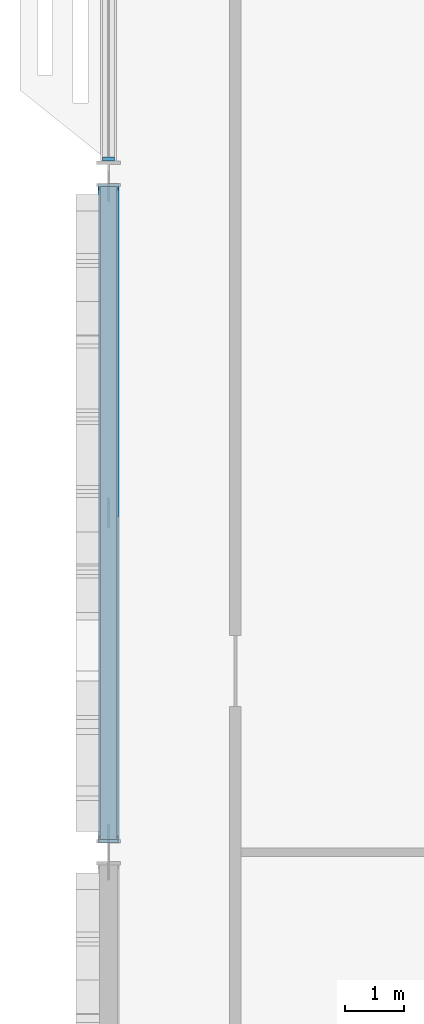
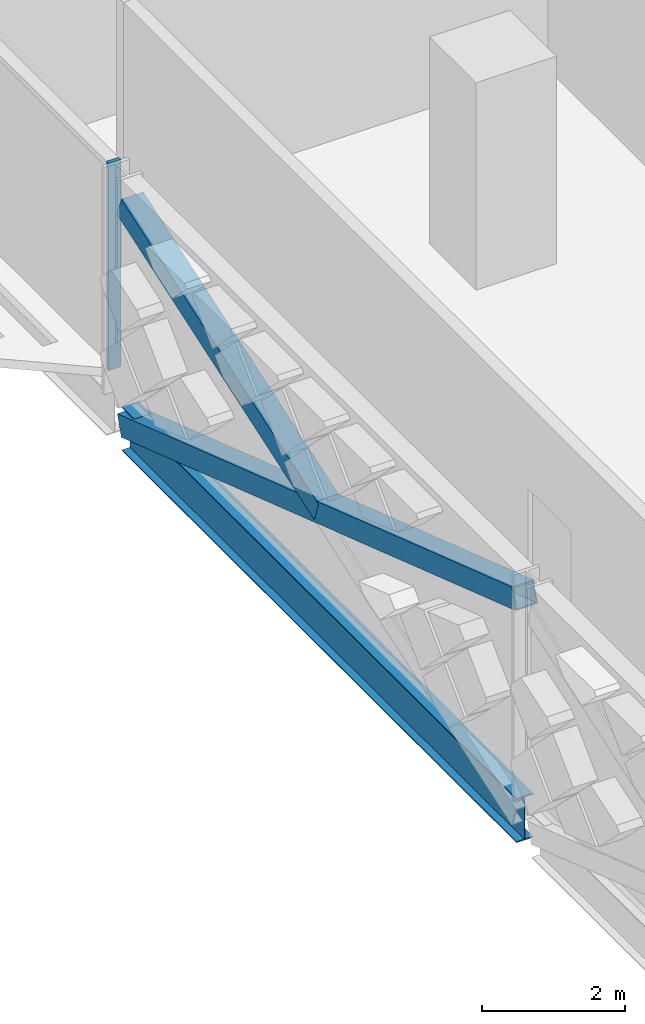
# One storey, part 4 of 29: 3 members, 1 beam, 1 element without a shape of its own.
"""IFC4 building model written with IfcOpenShell, lengths in metres."""

from ifc_helpers import new_model, si_unit, direction, frame, origin, origin_2d, place, context, subcontext, project, spatial, rectangle, hollow_rectangle, i_section, extrude, material, material_profile, profile_set, type_object, element, aggregate, save


model = new_model("IFC4")

# Units and contexts
model_context = context("Model", 3, precision=1e-05, world=origin(), true_north=direction((0.0, 1.0)))
body_context = subcontext(model_context, "Body", "Model", "MODEL_VIEW")
ifc_project = project(units=[si_unit("LENGTHUNIT", "METRE"), si_unit("AREAUNIT", "SQUARE_METRE"), si_unit("VOLUMEUNIT", "CUBIC_METRE"), si_unit("PLANEANGLEUNIT", "RADIAN"), si_unit("MASSUNIT", "GRAM", prefix="KILO")], contexts=[model_context])

# Site, building, storey
site_placement = place(None, origin())
site = spatial("IfcSite", under=ifc_project, at=site_placement, CompositionType="ELEMENT")
building_placement = place(site_placement, origin())
building = spatial("IfcBuilding", under=site, at=building_placement, Name="Mahtab Terrace Research Tower", CompositionType="ELEMENT")
storey_placement = place(building_placement, frame((0.0, 0.0, 150.699951171875)))
storey = spatial("IfcBuildingStorey", under=building, at=storey_placement, Name="L35", CompositionType="ELEMENT", Elevation=150.699951171875)

# Members
ifc_material_1 = material(Name="Steel ASTM A500 Gr C", Category="steel")
ifc_material_profile_1 = material_profile(ifc_material_1, hollow_rectangle(XDim=0.355712890625, YDim=0.355712890625, WallThickness=0.01904296875, at=origin_2d()), Name="HSS14X14X3/4")
ifc_profile_set_1 = profile_set([ifc_material_profile_1], Name="Steel ASTM A500 Gr C")
member_type_1 = type_object("IfcMemberType", Name="HSS 14x14x3/4 brace XB141434", PredefinedType="BRACE", material=ifc_profile_set_1)
member_1_placement = place(storey_placement, frame((-48.0, 11.282958984375, -0.64501953125), z_axis=(0.0, -0.947273756303, 0.320425390099), x_axis=(1.0, 0.0, 0.0)))
element("IfcMember", 1, at=member_1_placement, inside=storey, type_object=member_type_1, Name="Exoskeleton brace L35 11 a", PredefinedType="BRACE", context=body_context, shape_type="SweptSolid", body=[
    extrude(hollow_rectangle(XDim=0.355712890625, YDim=0.355712890625, WallThickness=0.01904296875, at=origin_2d()), origin(), (0.0, 0.0, 1.0), 11.681884765625),
])
member_2_placement = place(storey_placement, frame((-48.0, 5.75, 1.2265625), z_axis=(0.0, 0.947273756303, 0.320425390099), x_axis=(-1.0, 0.0, 0.0)))
element("IfcMember", 2, at=member_2_placement, inside=storey, type_object=member_type_1, Name="Exoskeleton brace L35 11 b2", PredefinedType="BRACE", context=body_context, shape_type="SweptSolid", body=[
    extrude(hollow_rectangle(XDim=0.355712890625, YDim=0.355712890625, WallThickness=0.01904296875, at=origin_2d()), origin(), (0.0, 0.0, 1.0), 5.8408203125),
])

# Curtain wall, member
ifc_material_2 = material(Name="Laboratory ribbon curtain wall")
curtain_wall_type = type_object("IfcCurtainWallType", Name="Laboratory ribbon curtain wall", PredefinedType="NOTDEFINED", material=ifc_material_2)
curtain_wall_placement = place(storey_placement, origin())
curtain_wall = element("IfcCurtainWall", 3, at=curtain_wall_placement, inside=storey, type_object=curtain_wall_type, Name="EN.L35.8.16", PredefinedType="NOTDEFINED")
ifc_material_3 = material(Name="Natural anodised aluminium", Category="aluminium")
ifc_material_profile_2 = material_profile(ifc_material_3, rectangle(XDim=0.199951171875, YDim=0.06494140625, at=origin_2d()), Name="MULLION 65x200")
ifc_profile_set_2 = profile_set([ifc_material_profile_2], Name="Natural anodised aluminium")
member_type_2 = type_object("IfcMemberType", Name="Laboratory ribbon curtain wall mullion", PredefinedType="MULLION", material=ifc_profile_set_2)
member_3_placement = place(storey_placement, frame((-48.0, 11.75048828125, 0.0), z_axis=(0.0, 0.0, 1.0), x_axis=(1.0, 0.0, 0.0)))
member_3 = element("IfcMember", 4, at=member_3_placement, type_object=member_type_2, Name="CWL-4 mullion 2", PredefinedType="MULLION", context=body_context, shape_type="SweptSolid", body=[
    extrude(rectangle(XDim=0.199951171875, YDim=0.06494140625, at=origin_2d()), origin(), (0.0, 0.0, 1.0), 3.550048828125),
])
aggregate(curtain_wall, [member_3])

# Beam
ifc_material_4 = material(Name="Steel ASTM A992 Gr 50", Category="steel")
ifc_material_profile_3 = material_profile(ifc_material_4, i_section(OverallWidth=0.2666015625, OverallDepth=0.7568359375, WebThickness=0.013916015625, FlangeThickness=0.019287109375, at=origin_2d()), Name="W30X108")
ifc_profile_set_3 = profile_set([ifc_material_profile_3], Name="Steel ASTM A992 Gr 50")
beam_type = type_object("IfcBeamType", Name="W30x108 beam BS30108", PredefinedType="BEAM", material=ifc_profile_set_3)
beam_placement = place(storey_placement, frame((-48.0, 11.282958984375, -0.718505859375), z_axis=(0.0, -1.0, 0.0), x_axis=(1.0, 0.0, 0.0)))
element("IfcBeam", 5, at=beam_placement, inside=storey, type_object=beam_type, Name="Spandrel beam L35 11", PredefinedType="BEAM", context=body_context, shape_type="SweptSolid", body=[
    extrude(i_section(OverallWidth=0.2666015625, OverallDepth=0.7568359375, WebThickness=0.013916015625, FlangeThickness=0.019287109375, at=origin_2d()), origin(), (0.0, 0.0, 1.0), 11.06591796875),
])

save(model, "model.ifc")
